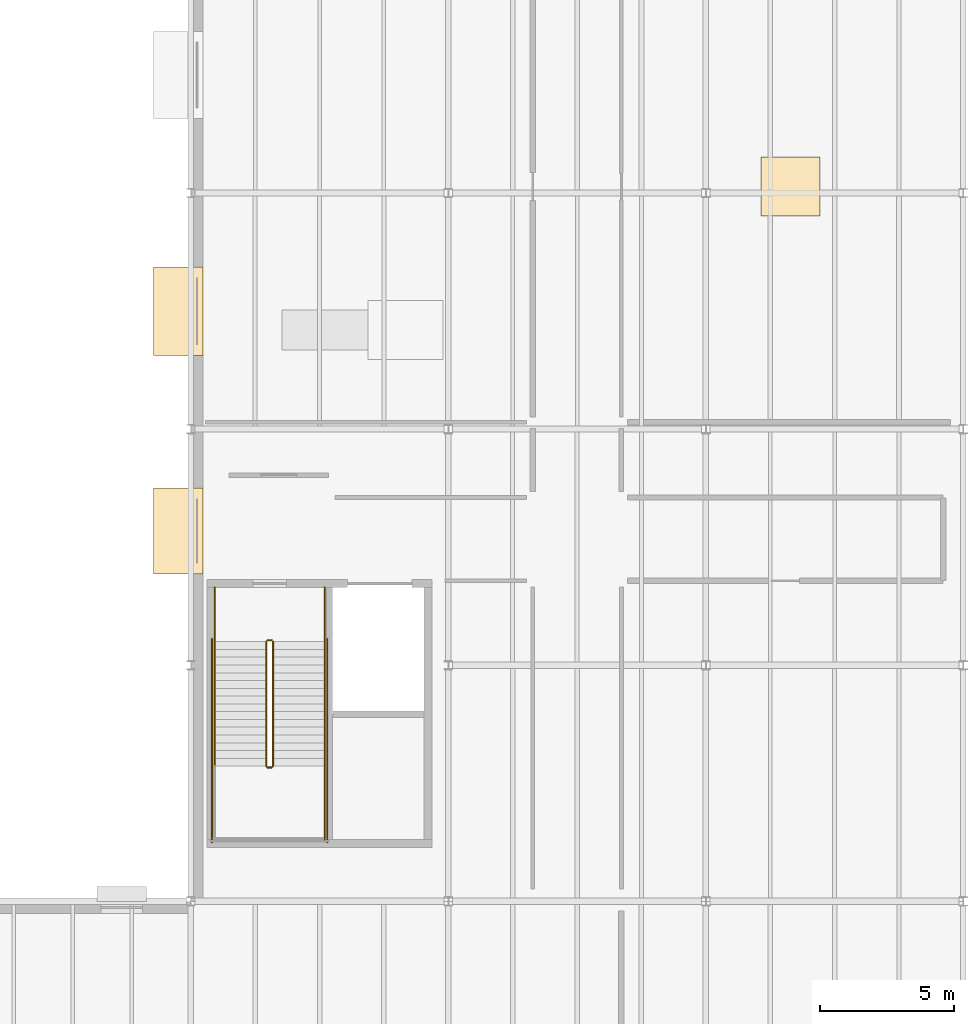
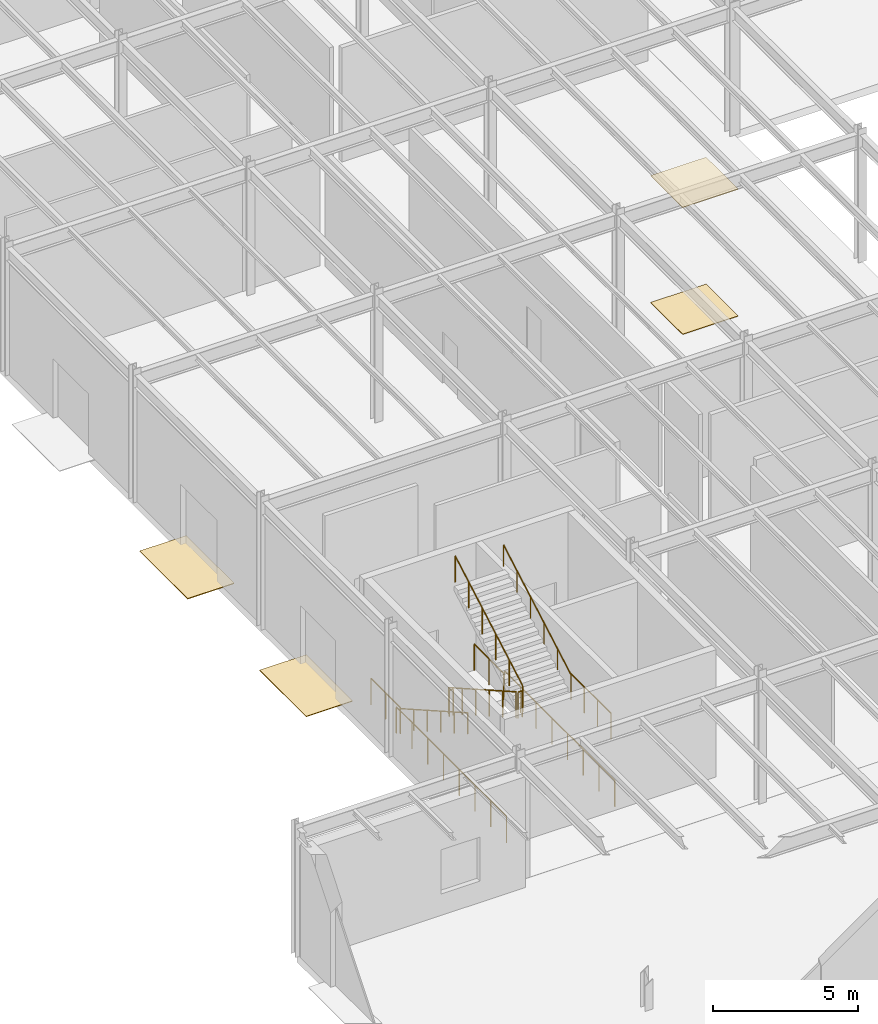
# One storey, part 56 of 70: 11 railings, 4 coverings.
"""IFC4 building model written with IfcOpenShell, lengths in metres."""

from ifc_helpers import new_model, si_unit, direction, frame, origin, origin_2d, place, context, subcontext, project, spatial, rectangle, circle, extrude, material, layer, layer_set, type_object, element, save


model = new_model("IFC4")

# Units and contexts
model_context = context("Model", 3, precision=1e-05, world=origin(), true_north=direction((0.0, 1.0)))
body_context = subcontext(model_context, "Body", "Model", "MODEL_VIEW")
ifc_project = project(units=[si_unit("LENGTHUNIT", "METRE"), si_unit("AREAUNIT", "SQUARE_METRE"), si_unit("VOLUMEUNIT", "CUBIC_METRE"), si_unit("PLANEANGLEUNIT", "RADIAN"), si_unit("MASSUNIT", "GRAM", prefix="KILO")], contexts=[model_context])

# Site, building, storey
site_placement = place(None, origin())
site = spatial("IfcSite", under=ifc_project, at=site_placement, CompositionType="ELEMENT")
building_placement = place(site_placement, origin())
building = spatial("IfcBuilding", under=site, at=building_placement, Name="Sarnbrook Museum", CompositionType="ELEMENT")
storey_placement = place(building_placement, origin())
storey = spatial("IfcBuildingStorey", under=building, at=storey_placement, Name="L00", CompositionType="ELEMENT", Elevation=0.0)

# Coverings
ifc_material_1 = material(Name="Tasmanian Oak Acoustic Timber", Category="wood")
ifc_layer_1 = layer(ifc_material_1, 0.02490234375)
ifc_layer_set_1 = layer_set([ifc_layer_1], Name="Tasmanian Oak Acoustic Timber")
covering_type_1 = type_object("IfcCoveringType", Name="Ceil_Timber25", PredefinedType="CEILING", material=ifc_layer_set_1)
covering_1_placement = place(storey_placement, frame((35.9599609375, 65.840087890625, 5.324951171875), z_axis=(0.0, 0.0, 1.0), x_axis=(1.0, 0.0, 0.0)))
element("IfcCovering", 1, at=covering_1_placement, inside=storey, type_object=covering_type_1, Name="Acoustic Ceiling Baffle Panel L00-11", PredefinedType="CEILING", context=body_context, shape_type="SweptSolid", body=[
    extrude(rectangle(XDim=2.199951171875, YDim=2.199951171875, at=origin_2d()), origin(), (0.0, 0.0, 1.0), 0.02490234375),
])
ifc_layer_2 = layer(ifc_material_1, 0.02197265625)
ifc_layer_set_2 = layer_set([ifc_layer_2], Name="Tasmanian Oak Acoustic Timber")
covering_type_2 = type_object("IfcCoveringType", Name="Floor_Oak22", PredefinedType="FLOORING", material=ifc_layer_set_2)
covering_2_placement = place(storey_placement, frame((35.9599609375, 65.840087890625, 0.0), z_axis=(0.0, 0.0, 1.0), x_axis=(1.0, 0.0, 0.0)))
element("IfcCovering", 2, at=covering_2_placement, inside=storey, type_object=covering_type_2, Name="Gallery Floor Finish Panel L00-11", PredefinedType="FLOORING", context=body_context, shape_type="SweptSolid", body=[
    extrude(rectangle(XDim=2.199951171875, YDim=2.199951171875, at=origin_2d()), origin(), (0.0, 0.0, 1.0), 0.02197265625),
])

# Railings
ifc_material_2 = material(Name="Brushed Stainless Steel Grade 316", Category="steel")
ifc_layer_3 = layer(ifc_material_2, 0.050048828125)
ifc_layer_set_3 = layer_set([ifc_layer_3], Name="Brushed Stainless Steel Grade 316")
railing_type_1 = type_object("IfcRailingType", Name="Guard_Int1120", PredefinedType="BALUSTRADE", material=ifc_layer_set_3)
railing_1_placement = place(storey_placement, frame((16.409912109375, 48.8798828125, 0.164794921875)))
element("IfcRailing", 3, at=railing_1_placement, inside=storey, type_object=railing_type_1, Name="L00 ST5 stair guard 1", PredefinedType="BALUSTRADE", context=body_context, shape_type="SweptSolid", body=[
    extrude(circle(Radius=0.02392578125, at=origin_2d()), frame((0.0, 0.0, 1.09619140625), z_axis=(0.0, -0.869540958685, 0.493860831783), x_axis=(1.0, 0.0, 0.0)), (0.0, 0.0, 1.0), 5.3359375),
    extrude(circle(Radius=0.02099609375, at=origin_2d()), origin(), (0.0, 0.0, 1.0), 1.072021484375),
    extrude(circle(Radius=0.02099609375, at=origin_2d()), frame((0.0, -0.927978515625, 0.527099609375)), (0.0, 0.0, 1.0), 1.072021484375),
    extrude(circle(Radius=0.02099609375, at=origin_2d()), frame((0.0, -1.85595703125, 1.05419921875)), (0.0, 0.0, 1.0), 1.072021484375),
    extrude(circle(Radius=0.02099609375, at=origin_2d()), frame((0.0, -2.783935546875, 1.5810546875)), (0.0, 0.0, 1.0), 1.072021484375),
    extrude(circle(Radius=0.02099609375, at=origin_2d()), frame((0.0, -3.7119140625, 2.108154296875)), (0.0, 0.0, 1.0), 1.072021484375),
    extrude(circle(Radius=0.02099609375, at=origin_2d()), frame((0.0, -4.639892578125, 2.63525390625)), (0.0, 0.0, 1.0), 1.072021484375),
])
railing_2_placement = place(storey_placement, frame((16.4599609375, 44.18994140625, 2.800048828125)))
element("IfcRailing", 4, at=railing_2_placement, inside=storey, type_object=railing_type_1, Name="L00 ST5 stair guard 2", PredefinedType="BALUSTRADE", context=body_context, shape_type="SweptSolid", body=[
    extrude(circle(Radius=0.02392578125, at=origin_2d()), frame((0.0, 0.0, 1.09619140625), z_axis=(1.0, 0.0, 0.0), x_axis=(0.0, 1.0, 0.0)), (0.0, 0.0, 1.0), 0.16015625),
    extrude(circle(Radius=0.02099609375, at=origin_2d()), origin(), (0.0, 0.0, 1.0), 1.072021484375),
    extrude(circle(Radius=0.02099609375, at=origin_2d()), frame((0.16015625, 0.0, 0.0)), (0.0, 0.0, 1.0), 1.072021484375),
])
railing_3_placement = place(storey_placement, frame((18.590087890625, 44.239990234375, 2.800048828125)))
element("IfcRailing", 5, at=railing_3_placement, inside=storey, type_object=railing_type_1, Name="L00 ST5 stair guard 4", PredefinedType="BALUSTRADE", context=body_context, shape_type="SweptSolid", body=[
    extrude(circle(Radius=0.02392578125, at=origin_2d()), frame((0.0, 0.0, 1.09619140625), z_axis=(0.0, -1.0, 0.0), x_axis=(1.0, 0.0, 0.0)), (0.0, 0.0, 1.0), 2.739990234375),
    extrude(circle(Radius=0.02099609375, at=origin_2d()), origin(), (0.0, 0.0, 1.0), 1.072021484375),
    extrude(circle(Radius=0.02099609375, at=origin_2d()), frame((0.0, -0.913330078125, 0.0)), (0.0, 0.0, 1.0), 1.072021484375),
    extrude(circle(Radius=0.02099609375, at=origin_2d()), frame((0.0, -1.82666015625, 0.0)), (0.0, 0.0, 1.0), 1.072021484375),
    extrude(circle(Radius=0.02099609375, at=origin_2d()), frame((0.0, -2.739990234375, 0.0)), (0.0, 0.0, 1.0), 1.072021484375),
])
railing_4_placement = place(storey_placement, frame((16.669921875, 44.239990234375, 2.964599609375)))
element("IfcRailing", 6, at=railing_4_placement, inside=storey, type_object=railing_type_1, Name="L00 ST5 stair guard 6", PredefinedType="BALUSTRADE", context=body_context, shape_type="SweptSolid", body=[
    extrude(circle(Radius=0.02392578125, at=origin_2d()), frame((0.0, 0.0, 1.09619140625), z_axis=(0.0, 0.869521310511, 0.493895424728), x_axis=(-1.0, 0.0, 0.0)), (0.0, 0.0, 1.0), 5.336181640625),
    extrude(circle(Radius=0.02099609375, at=origin_2d()), origin(), (0.0, 0.0, 1.0), 1.072021484375),
    extrude(circle(Radius=0.02099609375, at=origin_2d()), frame((0.0, 0.927978515625, 0.527099609375)), (0.0, 0.0, 1.0), 1.072021484375),
    extrude(circle(Radius=0.02099609375, at=origin_2d()), frame((0.0, 1.85595703125, 1.05419921875)), (0.0, 0.0, 1.0), 1.072021484375),
    extrude(circle(Radius=0.02099609375, at=origin_2d()), frame((0.0, 2.783935546875, 1.581298828125)), (0.0, 0.0, 1.0), 1.072021484375),
    extrude(circle(Radius=0.02099609375, at=origin_2d()), frame((0.0, 3.7119140625, 2.1083984375)), (0.0, 0.0, 1.0), 1.072021484375),
    extrude(circle(Radius=0.02099609375, at=origin_2d()), frame((0.0, 4.639892578125, 2.635498046875)), (0.0, 0.0, 1.0), 1.072021484375),
])
railing_5_placement = place(storey_placement, frame((16.4599609375, 48.929931640625, 0.0)))
element("IfcRailing", 7, at=railing_5_placement, inside=storey, type_object=railing_type_1, Name="L00 ST5 stair guard 7", PredefinedType="BALUSTRADE", context=body_context, shape_type="SweptSolid", body=[
    extrude(circle(Radius=0.02392578125, at=origin_2d()), frame((0.0, 0.0, 1.09619140625), z_axis=(1.0, 0.0, 0.0), x_axis=(0.0, 1.0, 0.0)), (0.0, 0.0, 1.0), 0.16015625),
    extrude(circle(Radius=0.02099609375, at=origin_2d()), origin(), (0.0, 0.0, 1.0), 1.072021484375),
    extrude(circle(Radius=0.02099609375, at=origin_2d()), frame((0.16015625, 0.0, 0.0)), (0.0, 0.0, 1.0), 1.072021484375),
])
for number, where, name in (
    (8, (14.489990234375, 50.89990234375, 0.0), "L00 ST5 stair guard 8"),
    (9, (18.590087890625, 50.89990234375, 0.0), "L00 ST5 stair guard 9"),
):
    element("IfcRailing", number, at=place(storey_placement, frame(where)), inside=storey, type_object=railing_type_1, Name=name, PredefinedType="BALUSTRADE", context=body_context, shape_type="SweptSolid", body=[
        extrude(circle(Radius=0.02392578125, at=origin_2d()), frame((0.0, 0.0, 1.09619140625), z_axis=(0.0, -1.0, 0.0), x_axis=(1.0, 0.0, 0.0)), (0.0, 0.0, 1.0), 2.02001953125),
        extrude(circle(Radius=0.02099609375, at=origin_2d()), origin(), (0.0, 0.0, 1.0), 1.072021484375),
        extrude(circle(Radius=0.02099609375, at=origin_2d()), frame((0.0, -1.010009765625, 0.0)), (0.0, 0.0, 1.0), 1.072021484375),
        extrude(circle(Radius=0.02099609375, at=origin_2d()), frame((0.0, -2.02001953125, 0.0)), (0.0, 0.0, 1.0), 1.072021484375),
    ])
for number, where, name in (
    (10, (14.389892578125, 48.97998046875, 0.0), "L00 ST5 stair guard 10"),
    (11, (18.68994140625, 48.97998046875, 0.0), "L00 ST5 stair guard 11"),
):
    element("IfcRailing", number, at=place(storey_placement, frame(where)), inside=storey, type_object=railing_type_1, Name=name, PredefinedType="BALUSTRADE", context=body_context, shape_type="SweptSolid", body=[
        extrude(circle(Radius=0.02392578125, at=origin_2d()), frame((0.0, 0.0, 1.09619140625), z_axis=(0.0, -1.0, 0.0), x_axis=(1.0, 0.0, 0.0)), (0.0, 0.0, 1.0), 7.580078125),
        extrude(circle(Radius=0.02099609375, at=origin_2d()), origin(), (0.0, 0.0, 1.0), 1.072021484375),
        extrude(circle(Radius=0.02099609375, at=origin_2d()), frame((0.0, -1.082763671875, 0.0)), (0.0, 0.0, 1.0), 1.072021484375),
        extrude(circle(Radius=0.02099609375, at=origin_2d()), frame((0.0, -2.165771484375, 0.0)), (0.0, 0.0, 1.0), 1.072021484375),
        extrude(circle(Radius=0.02099609375, at=origin_2d()), frame((0.0, -3.24853515625, 0.0)), (0.0, 0.0, 1.0), 1.072021484375),
        extrude(circle(Radius=0.02099609375, at=origin_2d()), frame((0.0, -4.33154296875, 0.0)), (0.0, 0.0, 1.0), 1.072021484375),
        extrude(circle(Radius=0.02099609375, at=origin_2d()), frame((0.0, -5.414306640625, 0.0)), (0.0, 0.0, 1.0), 1.072021484375),
        extrude(circle(Radius=0.02099609375, at=origin_2d()), frame((0.0, -6.497314453125, 0.0)), (0.0, 0.0, 1.0), 1.072021484375),
        extrude(circle(Radius=0.02099609375, at=origin_2d()), frame((0.0, -7.580078125, 0.0)), (0.0, 0.0, 1.0), 1.072021484375),
    ])
ifc_layer_4 = layer(ifc_material_2, 0.048095703125)
ifc_layer_set_4 = layer_set([ifc_layer_4], Name="Brushed Stainless Steel Grade 316")
railing_type_2 = type_object("IfcRailingType", Name="Handrail_920", PredefinedType="HANDRAIL", material=ifc_layer_set_4)
railing_6_placement = place(storey_placement, frame((14.489990234375, 48.8798828125, 0.164794921875)))
element("IfcRailing", 12, at=railing_6_placement, inside=storey, type_object=railing_type_2, Name="L00 ST5 stair handrail 1", PredefinedType="HANDRAIL", context=body_context, shape_type="SweptSolid", body=[
    extrude(circle(Radius=0.02392578125, at=origin_2d()), frame((0.0, 0.0, 0.8857421875), z_axis=(0.0, -0.869540958685, 0.493860831783), x_axis=(1.0, 0.0, 0.0)), (0.0, 0.0, 1.0), 5.3359375),
    extrude(circle(Radius=0.02099609375, at=origin_2d()), origin(), (0.0, 0.0, 1.0), 0.86181640625),
    extrude(circle(Radius=0.02099609375, at=origin_2d()), frame((0.0, -0.927978515625, 0.527099609375)), (0.0, 0.0, 1.0), 0.86181640625),
    extrude(circle(Radius=0.02099609375, at=origin_2d()), frame((0.0, -1.85595703125, 1.05419921875)), (0.0, 0.0, 1.0), 0.86181640625),
    extrude(circle(Radius=0.02099609375, at=origin_2d()), frame((0.0, -2.783935546875, 1.5810546875)), (0.0, 0.0, 1.0), 0.86181640625),
    extrude(circle(Radius=0.02099609375, at=origin_2d()), frame((0.0, -3.7119140625, 2.108154296875)), (0.0, 0.0, 1.0), 0.86181640625),
    extrude(circle(Radius=0.02099609375, at=origin_2d()), frame((0.0, -4.639892578125, 2.63525390625)), (0.0, 0.0, 1.0), 0.86181640625),
])
railing_7_placement = place(storey_placement, frame((18.590087890625, 44.239990234375, 2.964599609375)))
element("IfcRailing", 13, at=railing_7_placement, inside=storey, type_object=railing_type_2, Name="L00 ST5 stair handrail 2", PredefinedType="HANDRAIL", context=body_context, shape_type="SweptSolid", body=[
    extrude(circle(Radius=0.02392578125, at=origin_2d()), frame((0.0, 0.0, 0.8857421875), z_axis=(0.0, 0.869521310511, 0.493895424728), x_axis=(-1.0, 0.0, 0.0)), (0.0, 0.0, 1.0), 5.336181640625),
    extrude(circle(Radius=0.02099609375, at=origin_2d()), origin(), (0.0, 0.0, 1.0), 0.86181640625),
    extrude(circle(Radius=0.02099609375, at=origin_2d()), frame((0.0, 0.927978515625, 0.527099609375)), (0.0, 0.0, 1.0), 0.86181640625),
    extrude(circle(Radius=0.02099609375, at=origin_2d()), frame((0.0, 1.85595703125, 1.05419921875)), (0.0, 0.0, 1.0), 0.86181640625),
    extrude(circle(Radius=0.02099609375, at=origin_2d()), frame((0.0, 2.783935546875, 1.581298828125)), (0.0, 0.0, 1.0), 0.86181640625),
    extrude(circle(Radius=0.02099609375, at=origin_2d()), frame((0.0, 3.7119140625, 2.1083984375)), (0.0, 0.0, 1.0), 0.86181640625),
    extrude(circle(Radius=0.02099609375, at=origin_2d()), frame((0.0, 4.639892578125, 2.635498046875)), (0.0, 0.0, 1.0), 0.86181640625),
])

# Coverings
ifc_material_3 = material(Name="Victorian Bluestone Ashlar Masonry", Category="masonry")
ifc_layer_5 = layer(ifc_material_3, 0.030029296875)
ifc_layer_set_5 = layer_set([ifc_layer_5], Name="Victorian Bluestone Ashlar Masonry")
covering_type_3 = type_object("IfcCoveringType", Name="Paving_BluestoneApron", PredefinedType="FLOORING", material=ifc_layer_set_5)
covering_3_placement = place(storey_placement, frame((13.1298828125, 61.199951171875, -0.02978515625), z_axis=(0.0, 0.0, 1.0), x_axis=(1.0, 0.0, 0.0)))
element("IfcCovering", 14, at=covering_3_placement, inside=storey, type_object=covering_type_3, Name="Exterior Bluestone Entry Paving 25", PredefinedType="FLOORING", context=body_context, shape_type="SweptSolid", body=[
    extrude(rectangle(XDim=1.85009765625, YDim=3.300048828125, at=origin_2d()), origin(), (0.0, 0.0, 1.0), 0.030029296875),
])
covering_4_placement = place(storey_placement, frame((13.1298828125, 53.0, -0.02978515625), z_axis=(0.0, 0.0, 1.0), x_axis=(1.0, 0.0, 0.0)))
element("IfcCovering", 15, at=covering_4_placement, inside=storey, type_object=covering_type_3, Name="Exterior Bluestone Entry Paving 29", PredefinedType="FLOORING", context=body_context, shape_type="SweptSolid", body=[
    extrude(rectangle(XDim=1.85009765625, YDim=3.199951171875, at=origin_2d()), origin(), (0.0, 0.0, 1.0), 0.030029296875),
])

save(model, "model.ifc")
